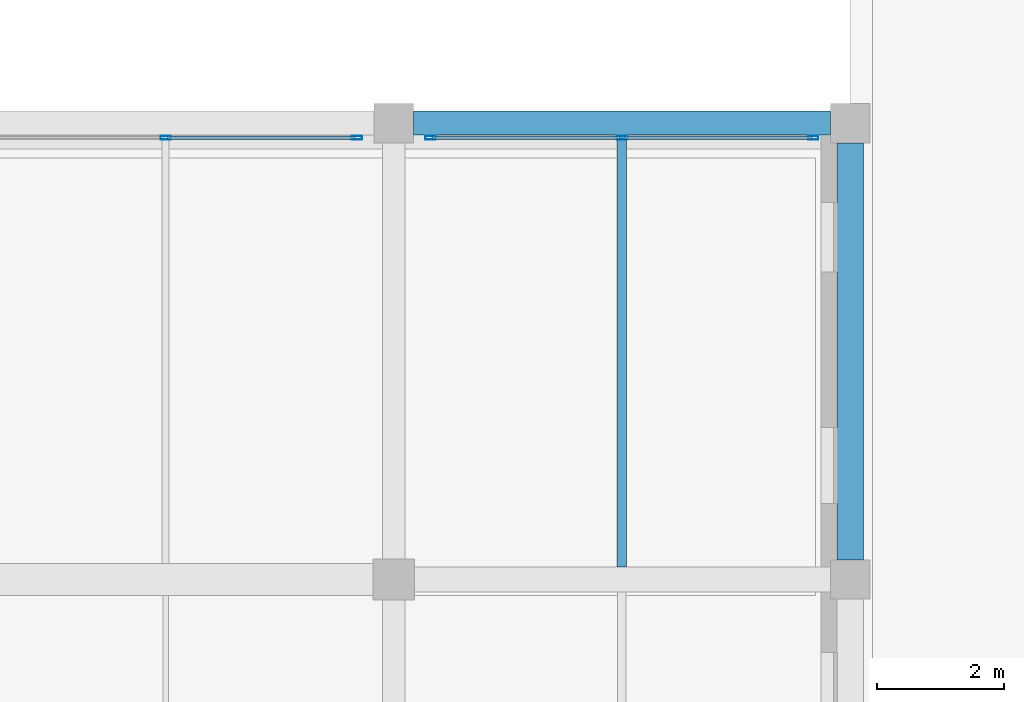
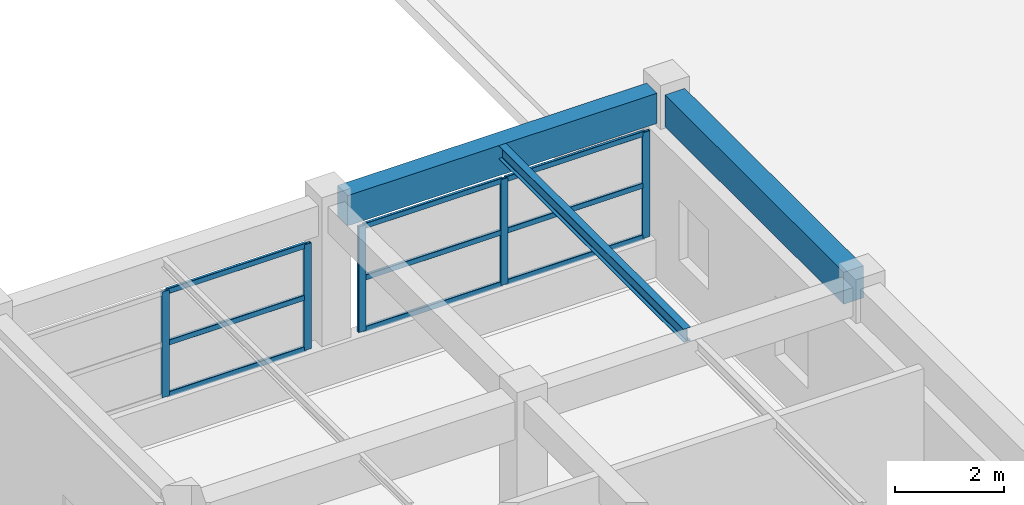
# One storey, part 17 of 67: 14 members, 3 beams, 2 elements without a shape of their own.
"""IFC4 building model written with IfcOpenShell, lengths in metres."""

from ifc_helpers import new_model, si_unit, direction, frame, origin, origin_2d, place, context, subcontext, project, spatial, rectangle, hollow_rectangle, i_section, extrude, material, material_profile, profile_set, type_object, element, aggregate, save


model = new_model("IFC4")

# Units and contexts
model_context = context("Model", 3, precision=1e-05, world=origin(), true_north=direction((0.0, 1.0)))
body_context = subcontext(model_context, "Body", "Model", "MODEL_VIEW")
ifc_project = project(units=[si_unit("LENGTHUNIT", "METRE"), si_unit("AREAUNIT", "SQUARE_METRE"), si_unit("VOLUMEUNIT", "CUBIC_METRE"), si_unit("PLANEANGLEUNIT", "RADIAN"), si_unit("MASSUNIT", "GRAM", prefix="KILO")], contexts=[model_context])

# Site, building, storey
site_placement = place(None, origin())
site = spatial("IfcSite", under=ifc_project, at=site_placement, CompositionType="ELEMENT")
building_placement = place(site_placement, origin())
building = spatial("IfcBuilding", under=site, at=building_placement, Name="Bramveld Media Centre", CompositionType="ELEMENT")
storey_placement = place(building_placement, frame((0.0, 0.0, 5.39990234375)))
storey = spatial("IfcBuildingStorey", under=building, at=storey_placement, Name="L01", CompositionType="ELEMENT", Elevation=5.39990234375)

# Curtain wall, members
ifc_material_1 = material(Name="Thermally broken anodized bronze aluminium unitized curtain wall with solar-control triple glazing", Category="aluminium")
curtain_wall_type = type_object("IfcCurtainWallType", Name="CW-FACV5-6100x2380", PredefinedType="NOTDEFINED", material=ifc_material_1)
curtain_wall_1_placement = place(storey_placement, origin())
curtain_wall_1 = element("IfcCurtainWall", 1, at=curtain_wall_1_placement, inside=storey, type_object=curtain_wall_type, Name="V5 L01 N curtain wall bay 6", PredefinedType="NOTDEFINED")
ifc_material_2 = material(Name="Thermally broken anodized bronze aluminium EN AW-6063 T6 curtain-wall framing", Category="aluminium")
ifc_material_profile_1 = material_profile(ifc_material_2, hollow_rectangle(XDim=0.06005859375, YDim=0.159912109375, WallThickness=0.00390625, InnerFilletRadius=0.00390625, OuterFilletRadius=0.008056640625, at=origin_2d()), Name="AL-MULL 60x160")
ifc_profile_set_1 = profile_set([ifc_material_profile_1], Name="Thermally broken anodized bronze aluminium EN AW-6063 T6 curtain-wall framing")
member_type_1 = type_object("IfcMemberType", Name="CW-MULL-EXT", PredefinedType="MULLION", material=ifc_profile_set_1)
member_1_placement = place(storey_placement, frame((98.0, 21.3701171875, 0.85009765625), z_axis=(0.0, 0.0, 1.0), x_axis=(0.0, 1.0, 0.0)))
member_1 = element("IfcMember", 2, at=member_1_placement, type_object=member_type_1, Name="CW-FA-6123 mullion 2", PredefinedType="MULLION", context=body_context, shape_type="SweptSolid", body=[
    extrude(hollow_rectangle(XDim=0.06005859375, YDim=0.159912109375, WallThickness=0.00390625, InnerFilletRadius=0.00390625, OuterFilletRadius=0.008056640625, at=origin_2d()), origin(), (0.0, 0.0, 1.0), 2.3798828125),
])
member_2_placement = place(storey_placement, frame((101.02001953125, 21.3701171875, 0.85009765625), z_axis=(0.0, 0.0, 1.0), x_axis=(0.0, 1.0, 0.0)))
member_2 = element("IfcMember", 3, at=member_2_placement, type_object=member_type_1, Name="CW-FA-6123 mullion 3", PredefinedType="MULLION", context=body_context, shape_type="SweptSolid", body=[
    extrude(hollow_rectangle(XDim=0.06005859375, YDim=0.159912109375, WallThickness=0.00390625, InnerFilletRadius=0.00390625, OuterFilletRadius=0.008056640625, at=origin_2d()), origin(), (0.0, 0.0, 1.0), 2.3798828125),
])

curtain_wall_2_placement = place(storey_placement, origin())
curtain_wall_2 = element("IfcCurtainWall", 4, at=curtain_wall_2_placement, inside=storey, type_object=curtain_wall_type, Name="V5 L01 N curtain wall bay 7", PredefinedType="NOTDEFINED")
member_3_placement = place(storey_placement, frame((102.179931640625, 21.3701171875, 0.85009765625), z_axis=(0.0, 0.0, 1.0), x_axis=(0.0, 1.0, 0.0)))
member_3 = element("IfcMember", 5, at=member_3_placement, type_object=member_type_1, Name="CW-FA-6123 mullion 1", PredefinedType="MULLION", context=body_context, shape_type="SweptSolid", body=[
    extrude(hollow_rectangle(XDim=0.06005859375, YDim=0.159912109375, WallThickness=0.00390625, InnerFilletRadius=0.00390625, OuterFilletRadius=0.008056640625, at=origin_2d()), origin(), (0.0, 0.0, 1.0), 2.3798828125),
])
member_4_placement = place(storey_placement, frame((105.199951171875, 21.3701171875, 0.85009765625), z_axis=(0.0, 0.0, 1.0), x_axis=(0.0, 1.0, 0.0)))
member_4 = element("IfcMember", 6, at=member_4_placement, type_object=member_type_1, Name="CW-FA-6123 mullion 2", PredefinedType="MULLION", context=body_context, shape_type="SweptSolid", body=[
    extrude(hollow_rectangle(XDim=0.06005859375, YDim=0.159912109375, WallThickness=0.00390625, InnerFilletRadius=0.00390625, OuterFilletRadius=0.008056640625, at=origin_2d()), origin(), (0.0, 0.0, 1.0), 2.3798828125),
])
member_5_placement = place(storey_placement, frame((108.219970703125, 21.3701171875, 0.85009765625), z_axis=(0.0, 0.0, 1.0), x_axis=(0.0, 1.0, 0.0)))
member_5 = element("IfcMember", 7, at=member_5_placement, type_object=member_type_1, Name="CW-FA-6123 mullion 3", PredefinedType="MULLION", context=body_context, shape_type="SweptSolid", body=[
    extrude(hollow_rectangle(XDim=0.06005859375, YDim=0.159912109375, WallThickness=0.00390625, InnerFilletRadius=0.00390625, OuterFilletRadius=0.008056640625, at=origin_2d()), origin(), (0.0, 0.0, 1.0), 2.3798828125),
])

# Member
ifc_material_3 = material(Name="Thermally broken anodized bronze aluminium EN AW-6063 T6 curtain-wall framing", Category="aluminium")
ifc_material_profile_2 = material_profile(ifc_material_3, hollow_rectangle(XDim=0.06005859375, YDim=0.1201171875, WallThickness=0.00341796875, InnerFilletRadius=0.00341796875, OuterFilletRadius=0.007080078125, at=origin_2d()), Name="AL-TRAN 60x120")
ifc_profile_set_2 = profile_set([ifc_material_profile_2], Name="Thermally broken anodized bronze aluminium EN AW-6063 T6 curtain-wall framing")
member_type_2 = type_object("IfcMemberType", Name="CW-TRAN-EXT", PredefinedType="USERDEFINED", material=ifc_profile_set_2)
member_6_placement = place(storey_placement, frame((98.030029296875, 21.3701171875, 0.880126953125), z_axis=(1.0, 0.0, 0.0), x_axis=(0.0, 1.0, 0.0)))
member_6 = element("IfcMember", 8, at=member_6_placement, type_object=member_type_2, Name="CW-FA-6123 transom 2.1", ObjectType="TRANSOM", PredefinedType="USERDEFINED", context=body_context, shape_type="SweptSolid", body=[
    extrude(hollow_rectangle(XDim=0.06005859375, YDim=0.1201171875, WallThickness=0.00341796875, InnerFilletRadius=0.00341796875, OuterFilletRadius=0.007080078125, at=origin_2d()), origin(), (0.0, 0.0, 1.0), 2.9599609375),
])

member_7_placement = place(storey_placement, frame((98.030029296875, 21.3701171875, 2.0400390625), z_axis=(1.0, 0.0, 0.0), x_axis=(0.0, 1.0, 0.0)))
member_7 = element("IfcMember", 9, at=member_7_placement, type_object=member_type_2, Name="CW-FA-6123 transom 2.2", ObjectType="TRANSOM", PredefinedType="USERDEFINED", context=body_context, shape_type="SweptSolid", body=[
    extrude(hollow_rectangle(XDim=0.06005859375, YDim=0.1201171875, WallThickness=0.00341796875, InnerFilletRadius=0.00341796875, OuterFilletRadius=0.007080078125, at=origin_2d()), origin(), (0.0, 0.0, 1.0), 2.9599609375),
])

member_8_placement = place(storey_placement, frame((98.030029296875, 21.3701171875, 3.2001953125), z_axis=(1.0, 0.0, 0.0), x_axis=(0.0, 1.0, 0.0)))
member_8 = element("IfcMember", 10, at=member_8_placement, type_object=member_type_2, Name="CW-FA-6123 transom 2.3", ObjectType="TRANSOM", PredefinedType="USERDEFINED", context=body_context, shape_type="SweptSolid", body=[
    extrude(hollow_rectangle(XDim=0.06005859375, YDim=0.1201171875, WallThickness=0.00341796875, InnerFilletRadius=0.00341796875, OuterFilletRadius=0.007080078125, at=origin_2d()), origin(), (0.0, 0.0, 1.0), 2.9599609375),
])

aggregate(curtain_wall_1, [member_1, member_2, member_6, member_7, member_8])

member_9_placement = place(storey_placement, frame((102.2099609375, 21.3701171875, 0.880126953125), z_axis=(1.0, 0.0, 0.0), x_axis=(0.0, 1.0, 0.0)))
member_9 = element("IfcMember", 11, at=member_9_placement, type_object=member_type_2, Name="CW-FA-6123 transom 1.1", ObjectType="TRANSOM", PredefinedType="USERDEFINED", context=body_context, shape_type="SweptSolid", body=[
    extrude(hollow_rectangle(XDim=0.06005859375, YDim=0.1201171875, WallThickness=0.00341796875, InnerFilletRadius=0.00341796875, OuterFilletRadius=0.007080078125, at=origin_2d()), origin(), (0.0, 0.0, 1.0), 2.9599609375),
])

member_10_placement = place(storey_placement, frame((102.2099609375, 21.3701171875, 2.0400390625), z_axis=(1.0, 0.0, 0.0), x_axis=(0.0, 1.0, 0.0)))
member_10 = element("IfcMember", 12, at=member_10_placement, type_object=member_type_2, Name="CW-FA-6123 transom 1.2", ObjectType="TRANSOM", PredefinedType="USERDEFINED", context=body_context, shape_type="SweptSolid", body=[
    extrude(hollow_rectangle(XDim=0.06005859375, YDim=0.1201171875, WallThickness=0.00341796875, InnerFilletRadius=0.00341796875, OuterFilletRadius=0.007080078125, at=origin_2d()), origin(), (0.0, 0.0, 1.0), 2.9599609375),
])

member_11_placement = place(storey_placement, frame((102.2099609375, 21.3701171875, 3.2001953125), z_axis=(1.0, 0.0, 0.0), x_axis=(0.0, 1.0, 0.0)))
member_11 = element("IfcMember", 13, at=member_11_placement, type_object=member_type_2, Name="CW-FA-6123 transom 1.3", ObjectType="TRANSOM", PredefinedType="USERDEFINED", context=body_context, shape_type="SweptSolid", body=[
    extrude(hollow_rectangle(XDim=0.06005859375, YDim=0.1201171875, WallThickness=0.00341796875, InnerFilletRadius=0.00341796875, OuterFilletRadius=0.007080078125, at=origin_2d()), origin(), (0.0, 0.0, 1.0), 2.9599609375),
])

member_12_placement = place(storey_placement, frame((105.22998046875, 21.3701171875, 0.880126953125), z_axis=(1.0, 0.0, 0.0), x_axis=(0.0, 1.0, 0.0)))
member_12 = element("IfcMember", 14, at=member_12_placement, type_object=member_type_2, Name="CW-FA-6123 transom 2.1", ObjectType="TRANSOM", PredefinedType="USERDEFINED", context=body_context, shape_type="SweptSolid", body=[
    extrude(hollow_rectangle(XDim=0.06005859375, YDim=0.1201171875, WallThickness=0.00341796875, InnerFilletRadius=0.00341796875, OuterFilletRadius=0.007080078125, at=origin_2d()), origin(), (0.0, 0.0, 1.0), 2.9599609375),
])

member_13_placement = place(storey_placement, frame((105.22998046875, 21.3701171875, 2.0400390625), z_axis=(1.0, 0.0, 0.0), x_axis=(0.0, 1.0, 0.0)))
member_13 = element("IfcMember", 15, at=member_13_placement, type_object=member_type_2, Name="CW-FA-6123 transom 2.2", ObjectType="TRANSOM", PredefinedType="USERDEFINED", context=body_context, shape_type="SweptSolid", body=[
    extrude(hollow_rectangle(XDim=0.06005859375, YDim=0.1201171875, WallThickness=0.00341796875, InnerFilletRadius=0.00341796875, OuterFilletRadius=0.007080078125, at=origin_2d()), origin(), (0.0, 0.0, 1.0), 2.9599609375),
])

member_14_placement = place(storey_placement, frame((105.22998046875, 21.3701171875, 3.2001953125), z_axis=(1.0, 0.0, 0.0), x_axis=(0.0, 1.0, 0.0)))
member_14 = element("IfcMember", 16, at=member_14_placement, type_object=member_type_2, Name="CW-FA-6123 transom 2.3", ObjectType="TRANSOM", PredefinedType="USERDEFINED", context=body_context, shape_type="SweptSolid", body=[
    extrude(hollow_rectangle(XDim=0.06005859375, YDim=0.1201171875, WallThickness=0.00341796875, InnerFilletRadius=0.00341796875, OuterFilletRadius=0.007080078125, at=origin_2d()), origin(), (0.0, 0.0, 1.0), 2.9599609375),
])

aggregate(curtain_wall_2, [member_3, member_4, member_5, member_9, member_10, member_11, member_12, member_13, member_14])

# Beams
ifc_material_4 = material(Name="Steel S355J2", Category="steel")
ifc_material_profile_3 = material_profile(ifc_material_4, i_section(OverallWidth=0.14990234375, OverallDepth=0.300048828125, WebThickness=0.007080078125, FlangeThickness=0.0107421875, FilletRadius=0.014892578125, at=origin_2d()), Name="IPE 300")
ifc_profile_set_3 = profile_set([ifc_material_profile_3], Name="Steel S355J2")
beam_type_1 = type_object("IfcBeamType", Name="SBM-INT-IPE-300", PredefinedType="JOIST", material=ifc_profile_set_3)
beam_1_placement = place(storey_placement, frame((105.199951171875, 14.60009765625, 3.81005859375), z_axis=(0.0, 1.0, 0.0), x_axis=(-1.0, 0.0, 0.0)))
element("IfcBeam", 17, at=beam_1_placement, inside=storey, type_object=beam_type_1, Name="V5 L01 secondary floor joist 777", PredefinedType="JOIST", context=body_context, shape_type="SweptSolid", body=[
    extrude(i_section(OverallWidth=0.14990234375, OverallDepth=0.300048828125, WebThickness=0.007080078125, FlangeThickness=0.0107421875, FilletRadius=0.014892578125, at=origin_2d()), origin(), (0.0, 0.0, 1.0), 6.809814453125),
])
ifc_material_5 = material(Name="Concrete C40/50", Category="concrete")
ifc_material_profile_4 = material_profile(ifc_material_5, rectangle(XDim=0.3798828125, YDim=0.679931640625, at=origin_2d()), Name="RC 380x680")
ifc_profile_set_4 = profile_set([ifc_material_profile_4], Name="Concrete C40/50")
beam_type_2 = type_object("IfcBeamType", Name="SPANDREL-EXT-RC-380x680", PredefinedType="SPANDREL", material=ifc_profile_set_4)
beam_2_placement = place(storey_placement, frame((101.909912109375, 21.60009765625, 3.6201171875), z_axis=(1.0, 0.0, 0.0), x_axis=(0.0, 1.0, 0.0)))
element("IfcBeam", 18, at=beam_2_placement, inside=storey, type_object=beam_type_2, Name="V5 L01 girder X-740", PredefinedType="SPANDREL", context=body_context, shape_type="SweptSolid", body=[
    extrude(rectangle(XDim=0.3798828125, YDim=0.679931640625, at=origin_2d()), origin(), (0.0, 0.0, 1.0), 6.580078125),
])
ifc_material_6 = material(Name="Concrete C40/50", Category="concrete")
ifc_material_profile_5 = material_profile(ifc_material_6, rectangle(XDim=0.419921875, YDim=0.719970703125, at=origin_2d()), Name="RC 420x720")
ifc_profile_set_5 = profile_set([ifc_material_profile_5], Name="Concrete C40/50")
beam_type_3 = type_object("IfcBeamType", Name="SPANDREL-EXT-RC-420x720", PredefinedType="SPANDREL", material=ifc_profile_set_5)
beam_3_placement = place(storey_placement, frame((108.800048828125, 14.7099609375, 3.60009765625), z_axis=(0.0, 1.0, 0.0), x_axis=(-1.0, 0.0, 0.0)))
element("IfcBeam", 19, at=beam_3_placement, inside=storey, type_object=beam_type_3, Name="V5 L01 girder Y-762", PredefinedType="SPANDREL", context=body_context, shape_type="SweptSolid", body=[
    extrude(rectangle(XDim=0.419921875, YDim=0.719970703125, at=origin_2d()), origin(), (0.0, 0.0, 1.0), 6.580078125),
])

save(model, "model.ifc")
